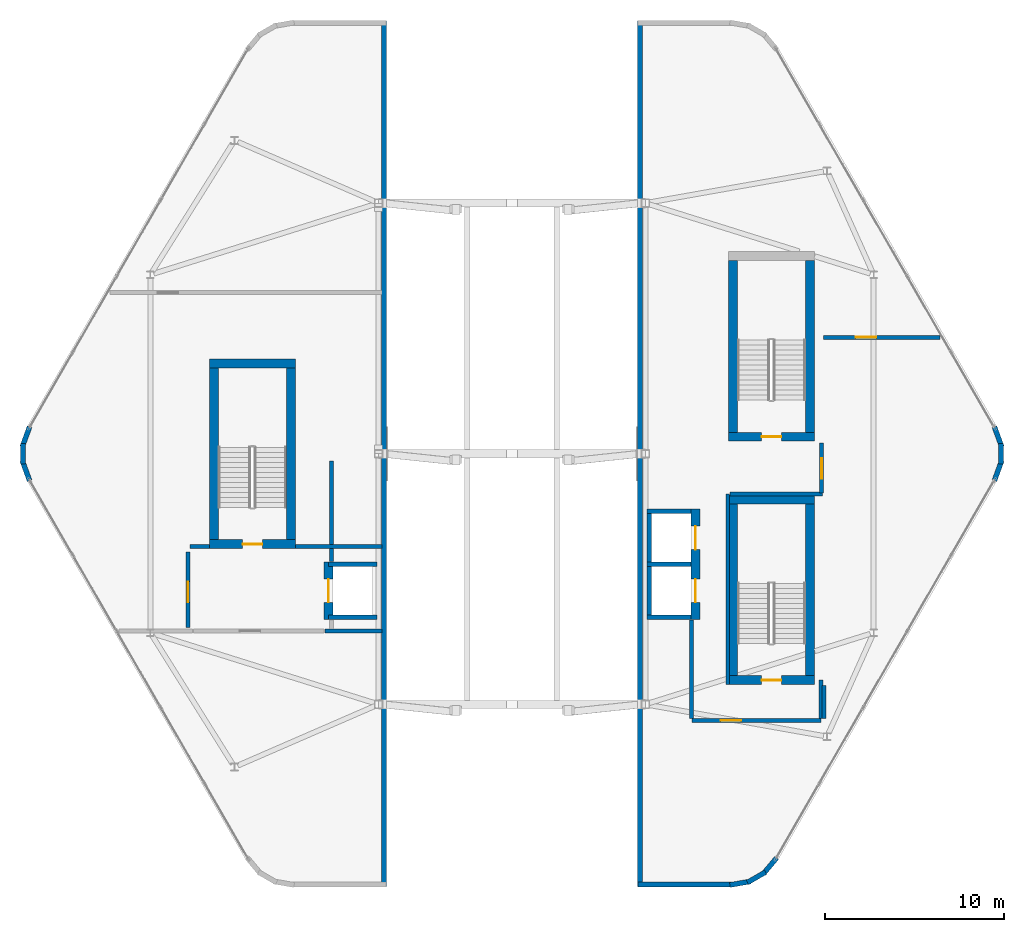
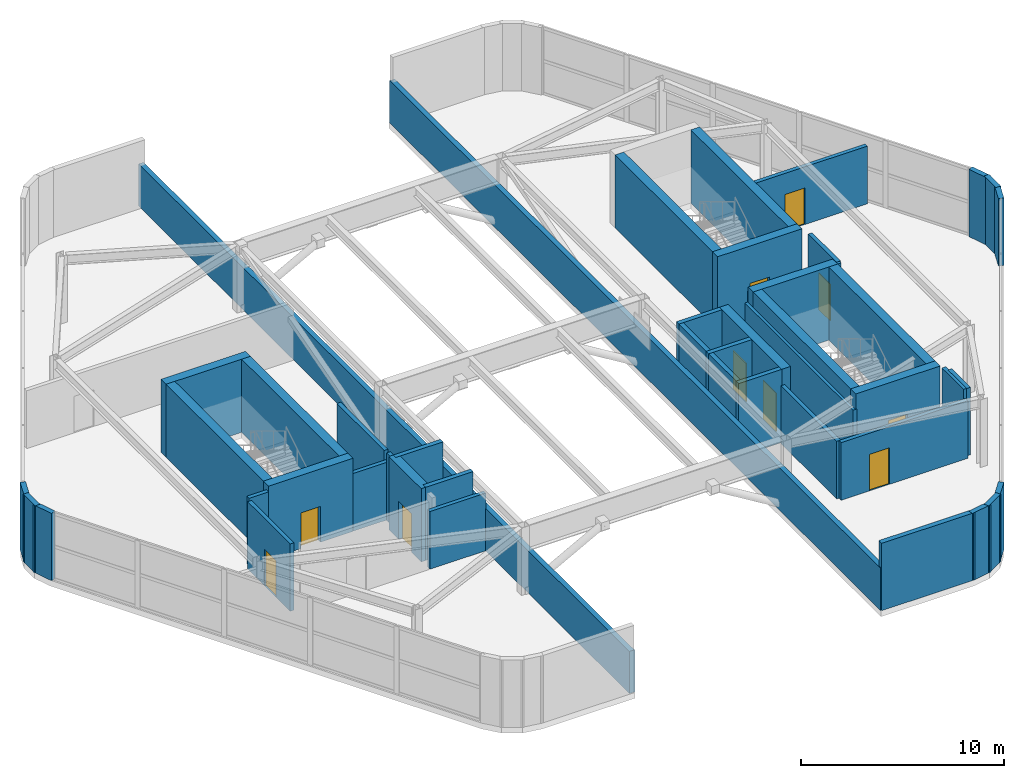
# One storey, part 14 of 16: 46 walls, 10 doors, 10 openings.
"""IFC4 building model written with IfcOpenShell, lengths in metres."""

from ifc_helpers import new_model, si_unit, direction, frame, frame_2d, origin, place, context, subcontext, project, spatial, rectangle, extrude, material, layer, layer_set, type_object, element, fill, save


model = new_model("IFC4")

# Units and contexts
model_context = context("Model", 3, precision=1e-05, world=origin(), true_north=direction((0.0, 1.0)))
body_context = subcontext(model_context, "Body", "Model", "MODEL_VIEW")
ifc_project = project(units=[si_unit("LENGTHUNIT", "METRE"), si_unit("AREAUNIT", "SQUARE_METRE"), si_unit("VOLUMEUNIT", "CUBIC_METRE"), si_unit("PLANEANGLEUNIT", "RADIAN"), si_unit("MASSUNIT", "GRAM", prefix="KILO")], contexts=[model_context])

# Site, building, storey
site_placement = place(None, origin())
site = spatial("IfcSite", under=ifc_project, at=site_placement, CompositionType="ELEMENT")
building_placement = place(site_placement, origin())
building = spatial("IfcBuilding", under=site, at=building_placement, Name="Zuhravey Tower", CompositionType="ELEMENT")
storey_placement = place(building_placement, frame((0.0, 0.0, 374.60009765625)))
storey = spatial("IfcBuildingStorey", under=building, at=storey_placement, Name="L95", CompositionType="ELEMENT", Elevation=374.60009765625)

# Wall, opening, door
ifc_material_1 = material(Name="Concrete C50/60", Category="concrete")
ifc_layer_1 = layer(ifc_material_1, 0.5)
ifc_layer_set_1 = layer_set([ifc_layer_1], Name="Concrete C50/60")
wall_type_1 = type_object("IfcWallType", Name="Core Shear Wall 500", PredefinedType="SHEAR", material=ifc_layer_set_1)
wall_1_placement = place(storey_placement, frame((19.10009765625, 26.949951171875, 0.0), z_axis=(0.0, 0.0, 1.0), x_axis=(1.0, 0.0, 0.0)))
wall_1 = element("IfcWall", 1, at=wall_1_placement, inside=storey, type_object=wall_type_1, Name="L95 CST1 South Shaft Wall", PredefinedType="SHEAR", context=body_context, shape_type="SweptSolid", body=[
    extrude(rectangle(XDim=4.7998046875, YDim=0.5, at=frame_2d((2.39990234375, 0.0))), origin(), (0.0, 0.0, 1.0), 4.39990234375),
])
opening_1_placement = place(wall_1_placement, frame((1.85009765625, 0.0, 0.0)))
opening_1 = element("IfcOpeningElement", 2, at=opening_1_placement, cuts=wall_1, Name="Opening STD1", PredefinedType="OPENING", context=body_context, shape_type="SweptSolid", body=[
    extrude(rectangle(XDim=1.10009765625, YDim=2.14990234375, at=frame_2d((0.550048828125, 1.074951171875))), frame((0.0, 0.261962890625, 0.0), z_axis=(0.0, -1.0, 0.0), x_axis=(1.0, 0.0, 0.0)), (0.0, 0.0, 1.0), 0.52392578125),
])
ifc_material_2 = material(Name="Galvanised fire-rated steel leaf", Category="steel")
door_type_1 = type_object("IfcDoorType", Name="Protected Stair Fire Door 1100x2150", OperationType="NOTDEFINED", PredefinedType="USERDEFINED", material=ifc_material_2)
door_1_placement = place(opening_1_placement, origin())
door_1 = element("IfcDoor", 3, at=door_1_placement, inside=storey, type_object=door_type_1, Name="L95 CST1 Door", ObjectType="EXITDOOR", OperationType="SINGLE_SWING_LEFT", OverallHeight=2.14990234375, OverallWidth=1.10009765625, PredefinedType="USERDEFINED", context=body_context, shape_type="SweptSolid", body=[
    extrude(rectangle(XDim=1.10009765625, YDim=2.14990234375, at=frame_2d((0.550048828125, 1.074951171875))), frame((0.0, 0.02490234375, 0.0), z_axis=(0.0, -1.0, 0.0), x_axis=(1.0, 0.0, 0.0)), (0.0, 0.0, 1.0), 0.050048828125),
])
fill(opening_1, door_1)

# Walls
wall_2_placement = place(storey_placement, frame((23.89990234375, 37.050048828125, 0.0), z_axis=(0.0, 0.0, 1.0), x_axis=(-1.0, 0.0, 0.0)))
element("IfcWall", 4, at=wall_2_placement, inside=storey, type_object=wall_type_1, Name="L95 CST1 North Shaft Wall", PredefinedType="SHEAR", context=body_context, shape_type="SweptSolid", body=[
    extrude(rectangle(XDim=4.7998046875, YDim=0.5, at=frame_2d((2.39990234375, 0.0))), origin(), (0.0, 0.0, 1.0), 4.39990234375),
])
for number, where, z_axis, x_axis, name in (
    (5, (19.35009765625, 27.199951171875, 0.0), (0.0, 0.0, 1.0), (0.0, 1.0, 0.0), "L95 CST1 West Shaft Wall"),
    (6, (23.64990234375, 36.800048828125, 0.0), (0.0, 0.0, 1.0), (0.0, -1.0, 0.0), "L95 CST1 East Shaft Wall"),
):
    element("IfcWall", number, at=place(storey_placement, frame(where, z_axis=z_axis, x_axis=x_axis)), inside=storey, type_object=wall_type_1, Name=name, PredefinedType="SHEAR", context=body_context, shape_type="SweptSolid", body=[
        extrude(rectangle(XDim=9.60009765625, YDim=0.5, at=frame_2d((4.800048828125, 0.0))), origin(), (0.0, 0.0, 1.0), 4.39990234375),
    ])

# Wall, opening, door
wall_3_placement = place(storey_placement, frame((48.10009765625, 19.35009765625, 0.0), z_axis=(0.0, 0.0, 1.0), x_axis=(1.0, 0.0, 0.0)))
wall_3 = element("IfcWall", 7, at=wall_3_placement, inside=storey, type_object=wall_type_1, Name="L95 CST2 South Shaft Wall", PredefinedType="SHEAR", context=body_context, shape_type="SweptSolid", body=[
    extrude(rectangle(XDim=4.7998046875, YDim=0.5, at=frame_2d((2.39990234375, 0.0))), origin(), (0.0, 0.0, 1.0), 4.39990234375),
])
opening_2_placement = place(wall_3_placement, frame((1.85009765625, 0.0, 0.0)))
opening_2 = element("IfcOpeningElement", 8, at=opening_2_placement, cuts=wall_3, Name="Opening STD1", PredefinedType="OPENING", context=body_context, shape_type="SweptSolid", body=[
    extrude(rectangle(XDim=1.10009765625, YDim=2.14990234375, at=frame_2d((0.550048828125, 1.074951171875))), frame((0.0, 0.261962890625, 0.0), z_axis=(0.0, -1.0, 0.0), x_axis=(1.0, 0.0, 0.0)), (0.0, 0.0, 1.0), 0.52392578125),
])
door_2_placement = place(opening_2_placement, origin())
door_2 = element("IfcDoor", 9, at=door_2_placement, inside=storey, type_object=door_type_1, Name="L95 CST2 Door", ObjectType="EXITDOOR", OperationType="SINGLE_SWING_RIGHT", OverallHeight=2.14990234375, OverallWidth=1.10009765625, PredefinedType="USERDEFINED", context=body_context, shape_type="SweptSolid", body=[
    extrude(rectangle(XDim=1.10009765625, YDim=2.14990234375, at=frame_2d((0.550048828125, 1.074951171875))), frame((0.0, 0.02490234375, 0.0), z_axis=(0.0, -1.0, 0.0), x_axis=(1.0, 0.0, 0.0)), (0.0, 0.0, 1.0), 0.050048828125),
])
fill(opening_2, door_2)

# Walls
wall_4_placement = place(storey_placement, frame((52.89990234375, 29.449951171875, 0.0), z_axis=(0.0, 0.0, 1.0), x_axis=(-1.0, 0.0, 0.0)))
element("IfcWall", 10, at=wall_4_placement, inside=storey, type_object=wall_type_1, Name="L95 CST2 North Shaft Wall", PredefinedType="SHEAR", context=body_context, shape_type="SweptSolid", body=[
    extrude(rectangle(XDim=4.7998046875, YDim=0.5, at=frame_2d((2.39990234375, 0.0))), origin(), (0.0, 0.0, 1.0), 4.39990234375),
])
for number, where, z_axis, x_axis, name in (
    (11, (48.35009765625, 19.60009765625, 0.0), (0.0, 0.0, 1.0), (0.0, 1.0, 0.0), "L95 CST2 West Shaft Wall"),
    (12, (52.64990234375, 29.199951171875, 0.0), (0.0, 0.0, 1.0), (0.0, -1.0, 0.0), "L95 CST2 East Shaft Wall"),
):
    element("IfcWall", number, at=place(storey_placement, frame(where, z_axis=z_axis, x_axis=x_axis)), inside=storey, type_object=wall_type_1, Name=name, PredefinedType="SHEAR", context=body_context, shape_type="SweptSolid", body=[
        extrude(rectangle(XDim=9.599853515625, YDim=0.5, at=frame_2d((4.7998046875, 0.0))), origin(), (0.0, 0.0, 1.0), 4.39990234375),
    ])

# Wall, opening, door
wall_5_placement = place(storey_placement, frame((48.10009765625, 32.949951171875, 0.0), z_axis=(0.0, 0.0, 1.0), x_axis=(1.0, 0.0, 0.0)))
wall_5 = element("IfcWall", 13, at=wall_5_placement, inside=storey, type_object=wall_type_1, Name="L95 CST3 South Shaft Wall", PredefinedType="SHEAR", context=body_context, shape_type="SweptSolid", body=[
    extrude(rectangle(XDim=4.7998046875, YDim=0.5, at=frame_2d((2.39990234375, 0.0))), origin(), (0.0, 0.0, 1.0), 4.39990234375),
])
opening_3_placement = place(wall_5_placement, frame((1.85009765625, 0.0, 0.0)))
opening_3 = element("IfcOpeningElement", 14, at=opening_3_placement, cuts=wall_5, Name="Opening STD1", PredefinedType="OPENING", context=body_context, shape_type="SweptSolid", body=[
    extrude(rectangle(XDim=1.10009765625, YDim=2.14990234375, at=frame_2d((0.550048828125, 1.074951171875))), frame((0.0, 0.261962890625, 0.0), z_axis=(0.0, -1.0, 0.0), x_axis=(1.0, 0.0, 0.0)), (0.0, 0.0, 1.0), 0.52392578125),
])
door_3_placement = place(opening_3_placement, origin())
door_3 = element("IfcDoor", 15, at=door_3_placement, inside=storey, type_object=door_type_1, Name="L95 CST3 Door", ObjectType="EXITDOOR", OperationType="SINGLE_SWING_LEFT", OverallHeight=2.14990234375, OverallWidth=1.10009765625, PredefinedType="USERDEFINED", context=body_context, shape_type="SweptSolid", body=[
    extrude(rectangle(XDim=1.10009765625, YDim=2.14990234375, at=frame_2d((0.550048828125, 1.074951171875))), frame((0.0, 0.02490234375, 0.0), z_axis=(0.0, -1.0, 0.0), x_axis=(1.0, 0.0, 0.0)), (0.0, 0.0, 1.0), 0.050048828125),
])
fill(opening_3, door_3)

# Walls
for number, where, z_axis, x_axis, name in (
    (16, (48.35009765625, 33.199951171875, 0.0), (0.0, 0.0, 1.0), (0.0, 1.0, 0.0), "L95 CST3 West Shaft Wall"),
    (17, (52.64990234375, 42.800048828125, 0.0), (0.0, 0.0, 1.0), (0.0, -1.0, 0.0), "L95 CST3 East Shaft Wall"),
):
    element("IfcWall", number, at=place(storey_placement, frame(where, z_axis=z_axis, x_axis=x_axis)), inside=storey, type_object=wall_type_1, Name=name, PredefinedType="SHEAR", context=body_context, shape_type="SweptSolid", body=[
        extrude(rectangle(XDim=9.60009765625, YDim=0.5, at=frame_2d((4.800048828125, 0.0))), origin(), (0.0, 0.0, 1.0), 4.39990234375),
    ])

# Wall, opening, door
wall_6_placement = place(storey_placement, frame((25.75, 22.75, 0.0), z_axis=(0.0, 0.0, 1.0), x_axis=(0.0, 1.0, 0.0)))
wall_6 = element("IfcWall", 18, at=wall_6_placement, inside=storey, type_object=wall_type_1, Name="L95 West Crest FF1 Shear Wall", PredefinedType="SHEAR", context=body_context, shape_type="SweptSolid", body=[
    extrude(rectangle(XDim=3.199951171875, YDim=0.5, at=frame_2d((1.60009765625, 0.0))), origin(), (0.0, 0.0, 1.0), 4.39990234375),
])
opening_4_placement = place(wall_6_placement, frame((0.949951171875, 0.0, 0.0)))
opening_4 = element("IfcOpeningElement", 19, at=opening_4_placement, cuts=wall_6, Name="Opening LD2", PredefinedType="OPENING", context=body_context, shape_type="SweptSolid", body=[
    extrude(rectangle(XDim=1.300048828125, YDim=2.300048828125, at=frame_2d((0.64990234375, 1.14990234375))), frame((0.0, 0.261962890625, 0.0), z_axis=(0.0, -1.0, 0.0), x_axis=(1.0, 0.0, 0.0)), (0.0, 0.0, 1.0), 0.52392578125),
])
ifc_material_3 = material(Name="Brushed stainless steel", Category="steel")
door_type_2 = type_object("IfcDoorType", Name="Freight & Stretcher Lift Sliding Door 1300x2300", OperationType="DOUBLE_DOOR_SLIDING", PredefinedType="DOOR", material=ifc_material_3)
door_4_placement = place(opening_4_placement, origin())
door_4 = element("IfcDoor", 20, at=door_4_placement, inside=storey, type_object=door_type_2, Name="L95 Lift FF1 Crown Landing Door", OperationType="DOUBLE_DOOR_SLIDING", OverallHeight=2.300048828125, OverallWidth=1.300048828125, PredefinedType="DOOR", context=body_context, shape_type="SweptSolid", body=[
    extrude(rectangle(XDim=1.300048828125, YDim=2.300048828125, at=frame_2d((0.64990234375, 1.14990234375))), frame((0.0, 0.02490234375, 0.0), z_axis=(0.0, -1.0, 0.0), x_axis=(1.0, 0.0, 0.0)), (0.0, 0.0, 1.0), 0.050048828125),
])
fill(opening_4, door_4)

# Wall, openings, doors
wall_7_placement = place(storey_placement, frame((46.25, 22.75, 0.0), z_axis=(0.0, 0.0, 1.0), x_axis=(0.0, 1.0, 0.0)))
wall_7 = element("IfcWall", 21, at=wall_7_placement, inside=storey, type_object=wall_type_1, Name="L95 East Crest FF2 Shear Wall", PredefinedType="SHEAR", context=body_context, shape_type="SweptSolid", body=[
    extrude(rectangle(XDim=6.14990234375, YDim=0.5, at=frame_2d((3.074951171875, 0.0))), origin(), (0.0, 0.0, 1.0), 4.39990234375),
])
opening_5_placement = place(wall_7_placement, frame((0.949951171875, 0.0, 0.0)))
opening_5 = element("IfcOpeningElement", 22, at=opening_5_placement, cuts=wall_7, Name="Opening LD2", PredefinedType="OPENING", context=body_context, shape_type="SweptSolid", body=[
    extrude(rectangle(XDim=1.300048828125, YDim=2.300048828125, at=frame_2d((0.64990234375, 1.14990234375))), frame((0.0, 0.261962890625, 0.0), z_axis=(0.0, -1.0, 0.0), x_axis=(1.0, 0.0, 0.0)), (0.0, 0.0, 1.0), 0.52392578125),
])
opening_6_placement = place(wall_7_placement, frame((3.89990234375, 0.0, 0.0)))
opening_6 = element("IfcOpeningElement", 23, at=opening_6_placement, cuts=wall_7, Name="Opening LD2", PredefinedType="OPENING", context=body_context, shape_type="SweptSolid", body=[
    extrude(rectangle(XDim=1.300048828125, YDim=2.300048828125, at=frame_2d((0.64990234375, 1.14990234375))), frame((0.0, 0.261962890625, 0.0), z_axis=(0.0, -1.0, 0.0), x_axis=(1.0, 0.0, 0.0)), (0.0, 0.0, 1.0), 0.52392578125),
])
door_5_placement = place(opening_5_placement, frame((1.300048828125, 0.0, 0.0), z_axis=(0.0, 0.0, 1.0), x_axis=(-1.0, 0.0, 0.0)))
door_5 = element("IfcDoor", 24, at=door_5_placement, inside=storey, type_object=door_type_2, Name="L95 Lift FF2 Crown Landing Door", OperationType="DOUBLE_DOOR_SLIDING", OverallHeight=2.300048828125, OverallWidth=1.300048828125, PredefinedType="DOOR", context=body_context, shape_type="SweptSolid", body=[
    extrude(rectangle(XDim=1.300048828125, YDim=2.300048828125, at=frame_2d((0.64990234375, 1.14990234375))), frame((0.0, 0.02490234375, 0.0), z_axis=(0.0, -1.0, 0.0), x_axis=(1.0, 0.0, 0.0)), (0.0, 0.0, 1.0), 0.050048828125),
])
fill(opening_5, door_5)
door_6_placement = place(opening_6_placement, frame((1.300048828125, 0.0, 0.0), z_axis=(0.0, 0.0, 1.0), x_axis=(-1.0, 0.0, 0.0)))
door_6 = element("IfcDoor", 25, at=door_6_placement, inside=storey, type_object=door_type_2, Name="L95 Lift SV1 Crown Landing Door", OperationType="DOUBLE_DOOR_SLIDING", OverallHeight=2.300048828125, OverallWidth=1.300048828125, PredefinedType="DOOR", context=body_context, shape_type="SweptSolid", body=[
    extrude(rectangle(XDim=1.300048828125, YDim=2.300048828125, at=frame_2d((0.64990234375, 1.14990234375))), frame((0.0, 0.02490234375, 0.0), z_axis=(0.0, -1.0, 0.0), x_axis=(1.0, 0.0, 0.0)), (0.0, 0.0, 1.0), 0.050048828125),
])
fill(opening_6, door_6)

# Walls
ifc_material_4 = material(Name="Precast concrete C40/50", Category="concrete")
ifc_layer_2 = layer(ifc_material_4, 0.280029296875)
ifc_layer_set_2 = layer_set([ifc_layer_2], Name="Precast concrete C40/50")
wall_type_2 = type_object("IfcWallType", Name="Crown Architectural Wall 280", PredefinedType="SOLIDWALL", material=ifc_layer_set_2)
wall_8_placement = place(storey_placement, frame((9.051513671875, 30.4951171875, 0.0), z_axis=(0.0, 0.0, 1.0), x_axis=(-0.342042645118, 0.939684430498, 0.0)))
element("IfcWall", 26, at=wall_8_placement, inside=storey, type_object=wall_type_2, Name="L95 WEST Crest Wall EW28-05", PredefinedType="SOLIDWALL", context=body_context, shape_type="SweptSolid", body=[
    extrude(rectangle(XDim=1.177734375, YDim=0.280029296875, at=frame_2d((0.5888671875, 0.0))), origin(), (0.0, 0.0, 1.0), 4.0498046875),
])
wall_9_placement = place(storey_placement, frame((8.68115234375, 31.41748046875, 0.0), z_axis=(0.0, 0.0, 1.0), x_axis=(0.0, 1.0, 0.0)))
element("IfcWall", 27, at=wall_9_placement, inside=storey, type_object=wall_type_2, Name="L95 WEST Crest Wall EW28-06", PredefinedType="SOLIDWALL", context=body_context, shape_type="SweptSolid", body=[
    extrude(rectangle(XDim=1.1650390625, YDim=0.280029296875, at=frame_2d((0.58251953125, 0.0))), origin(), (0.0, 0.0, 1.0), 4.0498046875),
])
wall_10_placement = place(storey_placement, frame((8.648681640625, 32.398193359375, 0.0), z_axis=(0.0, 0.0, 1.0), x_axis=(0.342042645118, 0.939684430498, 0.0)))
element("IfcWall", 28, at=wall_10_placement, inside=storey, type_object=wall_type_2, Name="L95 WEST Crest Wall EW28-07", PredefinedType="SOLIDWALL", context=body_context, shape_type="SweptSolid", body=[
    extrude(rectangle(XDim=1.177734375, YDim=0.280029296875, at=frame_2d((0.5888671875, 0.0))), origin(), (0.0, 0.0, 1.0), 4.0498046875),
])
wall_11_placement = place(storey_placement, frame((28.860107421875, 56.169189453125, 0.0), z_axis=(0.0, 0.0, 1.0), x_axis=(0.0, -1.0, 0.0)))
element("IfcWall", 29, at=wall_11_placement, inside=storey, type_object=wall_type_2, Name="L95 WEST Crest Wall EW28-13", PredefinedType="SOLIDWALL", context=body_context, shape_type="SweptSolid", body=[
    extrude(rectangle(XDim=48.33837890625, YDim=0.280029296875, at=frame_2d((24.169189453125, 0.0))), origin(), (0.0, 0.0, 1.0), 2.539794921875),
])
wall_12_placement = place(storey_placement, frame((62.948486328125, 33.5048828125, 0.0), z_axis=(0.0, 0.0, 1.0), x_axis=(0.342042645118, -0.939684430498, 0.0)))
element("IfcWall", 30, at=wall_12_placement, inside=storey, type_object=wall_type_2, Name="L95 EAST Crest Wall EW28-05", PredefinedType="SOLIDWALL", context=body_context, shape_type="SweptSolid", body=[
    extrude(rectangle(XDim=1.177734375, YDim=0.280029296875, at=frame_2d((0.5888671875, 0.0))), origin(), (0.0, 0.0, 1.0), 4.0498046875),
])
wall_13_placement = place(storey_placement, frame((63.31884765625, 32.58251953125, 0.0), z_axis=(0.0, 0.0, 1.0), x_axis=(0.0, -1.0, 0.0)))
element("IfcWall", 31, at=wall_13_placement, inside=storey, type_object=wall_type_2, Name="L95 EAST Crest Wall EW28-06", PredefinedType="SOLIDWALL", context=body_context, shape_type="SweptSolid", body=[
    extrude(rectangle(XDim=1.1650390625, YDim=0.280029296875, at=frame_2d((0.58251953125, 0.0))), origin(), (0.0, 0.0, 1.0), 4.0498046875),
])
for number, where, z_axis, x_axis, name in (
    (32, (63.351318359375, 31.601806640625, 0.0), (0.0, 0.0, 1.0), (-0.342042645118, -0.939684430498, 0.0), "L95 EAST Crest Wall EW28-07"),
    (33, (50.777587890625, 9.414306640625, 0.0), (0.0, 0.0, 1.0), (-0.642851701012, -0.765990659542, 0.0), "L95 EAST Crest Wall EW28-09"),
):
    element("IfcWall", number, at=place(storey_placement, frame(where, z_axis=z_axis, x_axis=x_axis)), inside=storey, type_object=wall_type_2, Name=name, PredefinedType="SOLIDWALL", context=body_context, shape_type="SweptSolid", body=[
        extrude(rectangle(XDim=1.177734375, YDim=0.280029296875, at=frame_2d((0.5888671875, 0.0))), origin(), (0.0, 0.0, 1.0), 4.0498046875),
    ])
wall_14_placement = place(storey_placement, frame((50.163818359375, 8.632568359375, 0.0), z_axis=(0.0, 0.0, 1.0), x_axis=(-0.865951785477, -0.500127488975, 0.0)))
element("IfcWall", 34, at=wall_14_placement, inside=storey, type_object=wall_type_2, Name="L95 EAST Crest Wall EW28-10", PredefinedType="SOLIDWALL", context=body_context, shape_type="SweptSolid", body=[
    extrude(rectangle(XDim=1.165283203125, YDim=0.280029296875, at=frame_2d((0.58251953125, 0.0))), origin(), (0.0, 0.0, 1.0), 4.0498046875),
])
wall_15_placement = place(storey_placement, frame((49.330810546875, 8.114013671875, 0.0), z_axis=(0.0, 0.0, 1.0), x_axis=(-0.984798162481, -0.173702559495, 0.0)))
element("IfcWall", 35, at=wall_15_placement, inside=storey, type_object=wall_type_2, Name="L95 EAST Crest Wall EW28-11", PredefinedType="SOLIDWALL", context=body_context, shape_type="SweptSolid", body=[
    extrude(rectangle(XDim=1.177734375, YDim=0.280029296875, at=frame_2d((0.5888671875, 0.0))), origin(), (0.0, 0.0, 1.0), 4.0498046875),
])
wall_16_placement = place(storey_placement, frame((48.359619140625, 7.92578125, 0.0), z_axis=(0.0, 0.0, 1.0), x_axis=(-1.0, 0.0, 0.0)))
element("IfcWall", 36, at=wall_16_placement, inside=storey, type_object=wall_type_2, Name="L95 EAST Crest Wall EW28-12", PredefinedType="SOLIDWALL", context=body_context, shape_type="SweptSolid", body=[
    extrude(rectangle(XDim=5.314697265625, YDim=0.280029296875, at=frame_2d((2.6572265625, 0.0))), origin(), (0.0, 0.0, 1.0), 4.0498046875),
])
wall_17_placement = place(storey_placement, frame((43.139892578125, 7.830810546875, 0.0), z_axis=(0.0, 0.0, 1.0), x_axis=(0.0, 1.0, 0.0)))
element("IfcWall", 37, at=wall_17_placement, inside=storey, type_object=wall_type_2, Name="L95 EAST Crest Wall EW28-13", PredefinedType="SOLIDWALL", context=body_context, shape_type="SweptSolid", body=[
    extrude(rectangle(XDim=48.33837890625, YDim=0.280029296875, at=frame_2d((24.169189453125, 0.0))), origin(), (0.0, 0.0, 1.0), 2.539794921875),
])
ifc_layer_3 = layer(ifc_material_1, 0.25)
ifc_layer_set_3 = layer_set([ifc_layer_3], Name="Concrete C50/60")
wall_type_3 = type_object("IfcWallType", Name="Firefighting Shaft & Stair Wall 250", PredefinedType="SOLIDWALL", material=ifc_layer_set_3)
for number, where, z_axis, x_axis, name in (
    (38, (25.75, 25.824951171875, 0.0), (0.0, 0.0, 1.0), (1.0, 0.0, 0.0), "L95 FW25 Shaft Wall 001"),
    (39, (25.75, 22.875, 0.0), (0.0, 0.0, 1.0), (1.0, 0.0, 0.0), "L95 FW25 Shaft Wall 002"),
):
    element("IfcWall", number, at=place(storey_placement, frame(where, z_axis=z_axis, x_axis=x_axis)), inside=storey, type_object=wall_type_3, Name=name, PredefinedType="SOLIDWALL", context=body_context, shape_type="SweptSolid", body=[
        extrude(rectangle(XDim=2.699951171875, YDim=0.25, at=frame_2d((1.35009765625, 0.0))), origin(), (0.0, 0.0, 1.0), 4.39990234375),
    ])
for number, where, z_axis, x_axis, name in (
    (40, (43.550048828125, 22.875, 0.0), (0.0, 0.0, 1.0), (1.0, 0.0, 0.0), "L95 FW25 Shaft Wall 003"),
    (41, (43.550048828125, 25.824951171875, 0.0), (0.0, 0.0, 1.0), (1.0, 0.0, 0.0), "L95 FW25 Shaft Wall 004"),
):
    element("IfcWall", number, at=place(storey_placement, frame(where, z_axis=z_axis, x_axis=x_axis)), inside=storey, type_object=wall_type_3, Name=name, PredefinedType="SOLIDWALL", context=body_context, shape_type="SweptSolid", body=[
        extrude(rectangle(XDim=2.449951171875, YDim=0.25, at=frame_2d((1.22509765625, 0.0))), origin(), (0.0, 0.0, 1.0), 4.39990234375),
    ])
wall_18_placement = place(storey_placement, frame((43.675048828125, 23.0, 0.0), z_axis=(0.0, 0.0, 1.0), x_axis=(0.0, 1.0, 0.0)))
element("IfcWall", 42, at=wall_18_placement, inside=storey, type_object=wall_type_3, Name="L95 FW25 Shaft Wall 005", PredefinedType="SOLIDWALL", context=body_context, shape_type="SweptSolid", body=[
    extrude(rectangle(XDim=2.699951171875, YDim=0.25, at=frame_2d((1.35009765625, 0.0))), origin(), (0.0, 0.0, 1.0), 4.39990234375),
])
wall_19_placement = place(storey_placement, frame((43.550048828125, 28.77490234375, 0.0), z_axis=(0.0, 0.0, 1.0), x_axis=(1.0, 0.0, 0.0)))
element("IfcWall", 43, at=wall_19_placement, inside=storey, type_object=wall_type_3, Name="L95 FW25 Shaft Wall 006", PredefinedType="SOLIDWALL", context=body_context, shape_type="SweptSolid", body=[
    extrude(rectangle(XDim=2.449951171875, YDim=0.25, at=frame_2d((1.22509765625, 0.0))), origin(), (0.0, 0.0, 1.0), 4.39990234375),
])
wall_20_placement = place(storey_placement, frame((43.675048828125, 25.949951171875, 0.0), z_axis=(0.0, 0.0, 1.0), x_axis=(0.0, 1.0, 0.0)))
element("IfcWall", 44, at=wall_20_placement, inside=storey, type_object=wall_type_3, Name="L95 FW25 Shaft Wall 007", PredefinedType="SOLIDWALL", context=body_context, shape_type="SweptSolid", body=[
    extrude(rectangle(XDim=2.699951171875, YDim=0.25, at=frame_2d((1.35009765625, 0.0))), origin(), (0.0, 0.0, 1.0), 4.39990234375),
])

# Wall, opening, door
ifc_material_5 = material(Name="Gypsum acoustic stud assembly")
ifc_layer_4 = layer(ifc_material_5, 0.219970703125)
ifc_layer_set_4 = layer_set([ifc_layer_4], Name="Gypsum acoustic stud assembly")
wall_type_4 = type_object("IfcWallType", Name="School Acoustic Compartment Wall 220", PredefinedType="PARTITIONING", material=ifc_layer_set_4)
wall_21_placement = place(storey_placement, frame((17.89990234375, 22.300048828125, 0.0), z_axis=(0.0, 0.0, 1.0), x_axis=(0.0, 1.0, 0.0)))
wall_21 = element("IfcWall", 45, at=wall_21_placement, inside=storey, type_object=wall_type_4, Name="L95 IW22 Partition 010", PredefinedType="PARTITIONING", context=body_context, shape_type="SweptSolid", body=[
    extrude(rectangle(XDim=4.199951171875, YDim=0.219970703125, at=frame_2d((2.10009765625, 0.0))), origin(), (0.0, 0.0, 1.0), 4.0498046875),
])
opening_7_placement = place(wall_21_placement, frame((1.39990234375, 0.0, 0.0)))
opening_7 = element("IfcOpeningElement", 46, at=opening_7_placement, cuts=wall_21, Name="Opening CLD1", PredefinedType="OPENING", context=body_context, shape_type="SweptSolid", body=[
    extrude(rectangle(XDim=1.14990234375, YDim=2.199951171875, at=frame_2d((0.574951171875, 1.10009765625))), frame((0.0, 0.1220703125, 0.0), z_axis=(0.0, -1.0, 0.0), x_axis=(1.0, 0.0, 0.0)), (0.0, 0.0, 1.0), 0.243896484375),
])
ifc_material_6 = material(Name="Acoustic timber leaf with vision lite", Category="wood")
door_type_3 = type_object("IfcDoorType", Name="Classroom Acoustic Door 1150x2200", OperationType="NOTDEFINED", PredefinedType="DOOR", material=ifc_material_6)
door_7_placement = place(opening_7_placement, origin())
door_7 = element("IfcDoor", 47, at=door_7_placement, inside=storey, type_object=door_type_3, Name="L95 West Crown Switchgear Plant Door", OperationType="SINGLE_SWING_RIGHT", OverallHeight=2.199951171875, OverallWidth=1.14990234375, PredefinedType="DOOR", context=body_context, shape_type="SweptSolid", body=[
    extrude(rectangle(XDim=1.14990234375, YDim=2.199951171875, at=frame_2d((0.574951171875, 1.10009765625))), frame((0.0, 0.02490234375, 0.0), z_axis=(0.0, -1.0, 0.0), x_axis=(1.0, 0.0, 0.0)), (0.0, 0.0, 1.0), 0.050048828125),
])
fill(opening_7, door_7)

wall_22_placement = place(storey_placement, frame((53.39990234375, 38.5, 0.0), z_axis=(0.0, 0.0, 1.0), x_axis=(1.0, 0.0, 0.0)))
wall_22 = element("IfcWall", 48, at=wall_22_placement, inside=storey, type_object=wall_type_4, Name="L95 IW22 Partition 011", PredefinedType="PARTITIONING", context=body_context, shape_type="SweptSolid", body=[
    extrude(rectangle(XDim=6.507080078125, YDim=0.219970703125, at=frame_2d((3.25341796875, 0.0))), origin(), (0.0, 0.0, 1.0), 3.469970703125),
])
opening_8_placement = place(wall_22_placement, frame((1.800048828125, 0.0, 0.0)))
opening_8 = element("IfcOpeningElement", 49, at=opening_8_placement, cuts=wall_22, Name="Opening CLD1", PredefinedType="OPENING", context=body_context, shape_type="SweptSolid", body=[
    extrude(rectangle(XDim=1.14990234375, YDim=2.199951171875, at=frame_2d((0.574951171875, 1.10009765625))), frame((0.0, 0.1220703125, 0.0), z_axis=(0.0, -1.0, 0.0), x_axis=(1.0, 0.0, 0.0)), (0.0, 0.0, 1.0), 0.243896484375),
])
door_8_placement = place(opening_8_placement, origin())
door_8 = element("IfcDoor", 50, at=door_8_placement, inside=storey, type_object=door_type_3, Name="L95 Aviation Beacon Plant Door", OperationType="SINGLE_SWING_LEFT", OverallHeight=2.199951171875, OverallWidth=1.14990234375, PredefinedType="DOOR", context=body_context, shape_type="SweptSolid", body=[
    extrude(rectangle(XDim=1.14990234375, YDim=2.199951171875, at=frame_2d((0.574951171875, 1.10009765625))), frame((0.0, 0.02490234375, 0.0), z_axis=(0.0, -1.0, 0.0), x_axis=(1.0, 0.0, 0.0)), (0.0, 0.0, 1.0), 0.050048828125),
])
fill(opening_8, door_8)

wall_23_placement = place(storey_placement, frame((46.050048828125, 17.10009765625, 0.0), z_axis=(0.0, 0.0, 1.0), x_axis=(1.0, 0.0, 0.0)))
wall_23 = element("IfcWall", 51, at=wall_23_placement, inside=storey, type_object=wall_type_4, Name="L95 IW22 Partition 012", PredefinedType="PARTITIONING", context=body_context, shape_type="SweptSolid", body=[
    extrude(rectangle(XDim=7.199951171875, YDim=0.219970703125, at=frame_2d((3.60009765625, 0.0))), origin(), (0.0, 0.0, 1.0), 3.469970703125),
])
opening_9_placement = place(wall_23_placement, frame((1.60009765625, 0.0, 0.0)))
opening_9 = element("IfcOpeningElement", 52, at=opening_9_placement, cuts=wall_23, Name="Opening CLD1", PredefinedType="OPENING", context=body_context, shape_type="SweptSolid", body=[
    extrude(rectangle(XDim=1.14990234375, YDim=2.199951171875, at=frame_2d((0.574951171875, 1.10009765625))), frame((0.0, 0.1220703125, 0.0), z_axis=(0.0, -1.0, 0.0), x_axis=(1.0, 0.0, 0.0)), (0.0, 0.0, 1.0), 0.243896484375),
])
door_9_placement = place(opening_9_placement, frame((1.14990234375, 0.0, 0.0), z_axis=(0.0, 0.0, 1.0), x_axis=(-1.0, 0.0, 0.0)))
door_9 = element("IfcDoor", 53, at=door_9_placement, inside=storey, type_object=door_type_3, Name="L95 Emergency Standby Generator Plant Door", OperationType="SINGLE_SWING_RIGHT", OverallHeight=2.199951171875, OverallWidth=1.14990234375, PredefinedType="DOOR", context=body_context, shape_type="SweptSolid", body=[
    extrude(rectangle(XDim=1.14990234375, YDim=2.199951171875, at=frame_2d((0.574951171875, 1.10009765625))), frame((0.0, 0.02490234375, 0.0), z_axis=(0.0, -1.0, 0.0), x_axis=(1.0, 0.0, 0.0)), (0.0, 0.0, 1.0), 0.050048828125),
])
fill(opening_9, door_9)

wall_24_placement = place(storey_placement, frame((53.300048828125, 29.800048828125, 0.0), z_axis=(0.0, 0.0, 1.0), x_axis=(0.0, 1.0, 0.0)))
wall_24 = element("IfcWall", 54, at=wall_24_placement, inside=storey, type_object=wall_type_4, Name="L95 IW22 Partition 013", PredefinedType="PARTITIONING", context=body_context, shape_type="SweptSolid", body=[
    extrude(rectangle(XDim=2.800048828125, YDim=0.219970703125, at=frame_2d((1.39990234375, 0.0))), origin(), (0.0, 0.0, 1.0), 4.0498046875),
])
opening_10_placement = place(wall_24_placement, frame((0.800048828125, 0.0, 0.0)))
opening_10 = element("IfcOpeningElement", 55, at=opening_10_placement, cuts=wall_24, Name="Opening CLD1", PredefinedType="OPENING", context=body_context, shape_type="SweptSolid", body=[
    extrude(rectangle(XDim=1.14990234375, YDim=2.199951171875, at=frame_2d((0.574951171875, 1.10009765625))), frame((0.0, 0.1220703125, 0.0), z_axis=(0.0, -1.0, 0.0), x_axis=(1.0, 0.0, 0.0)), (0.0, 0.0, 1.0), 0.243896484375),
])
door_10_placement = place(opening_10_placement, frame((1.14990234375, 0.0, 0.0), z_axis=(0.0, 0.0, 1.0), x_axis=(-1.0, 0.0, 0.0)))
door_10 = element("IfcDoor", 56, at=door_10_placement, inside=storey, type_object=door_type_3, Name="L95 Crown UPS Battery Plant Door", OperationType="SINGLE_SWING_LEFT", OverallHeight=2.199951171875, OverallWidth=1.14990234375, PredefinedType="DOOR", context=body_context, shape_type="SweptSolid", body=[
    extrude(rectangle(XDim=1.14990234375, YDim=2.199951171875, at=frame_2d((0.574951171875, 1.10009765625))), frame((0.0, 0.02490234375, 0.0), z_axis=(0.0, -1.0, 0.0), x_axis=(1.0, 0.0, 0.0)), (0.0, 0.0, 1.0), 0.050048828125),
])
fill(opening_10, door_10)

# Walls
wall_25_placement = place(storey_placement, frame((25.550048828125, 22.10009765625, 0.0), z_axis=(0.0, 0.0, 1.0), x_axis=(1.0, 0.0, 0.0)))
element("IfcWall", 57, at=wall_25_placement, inside=storey, type_object=wall_type_4, Name="L95 IW22 Partition 015", PredefinedType="PARTITIONING", context=body_context, shape_type="SweptSolid", body=[
    extrude(rectangle(XDim=3.18994140625, YDim=0.219970703125, at=frame_2d((1.594970703125, 0.0))), origin(), (0.0, 0.0, 1.0), 3.469970703125),
])
wall_26_placement = place(storey_placement, frame((28.739990234375, 26.820068359375, 0.0), z_axis=(0.0, 0.0, 1.0), x_axis=(-1.0, 0.0, 0.0)))
element("IfcWall", 58, at=wall_26_placement, inside=storey, type_object=wall_type_4, Name="L95 IW22 Partition 016", PredefinedType="PARTITIONING", context=body_context, shape_type="SweptSolid", body=[
    extrude(rectangle(XDim=4.840087890625, YDim=0.219970703125, at=frame_2d((2.419921875, 0.0))), origin(), (0.0, 0.0, 1.0), 3.469970703125),
])
wall_27_placement = place(storey_placement, frame((19.10009765625, 26.820068359375, 0.0), z_axis=(0.0, 0.0, 1.0), x_axis=(-1.0, 0.0, 0.0)))
element("IfcWall", 59, at=wall_27_placement, inside=storey, type_object=wall_type_4, Name="L95 IW22 Partition 017", PredefinedType="PARTITIONING", context=body_context, shape_type="SweptSolid", body=[
    extrude(rectangle(XDim=1.10009765625, YDim=0.219970703125, at=frame_2d((0.550048828125, 0.0))), origin(), (0.0, 0.0, 1.0), 4.0498046875),
])
wall_28_placement = place(storey_placement, frame((25.919921875, 25.989013671875, 0.0), z_axis=(0.0, 0.0, 1.0), x_axis=(0.0, 1.0, 0.0)))
element("IfcWall", 60, at=wall_28_placement, inside=storey, type_object=wall_type_4, Name="L95 IW22 Partition 018", PredefinedType="PARTITIONING", context=body_context, shape_type="SweptSolid", body=[
    extrude(rectangle(XDim=0.712890625, YDim=0.219970703125, at=frame_2d((0.3564453125, 0.0))), origin(), (0.0, 0.0, 1.0), 4.0498046875),
])
wall_29_placement = place(storey_placement, frame((25.919921875, 26.93798828125, 0.0), z_axis=(0.0, 0.0, 1.0), x_axis=(0.0, 1.0, 0.0)))
element("IfcWall", 61, at=wall_29_placement, inside=storey, type_object=wall_type_4, Name="L95 IW22 Partition 019", PredefinedType="PARTITIONING", context=body_context, shape_type="SweptSolid", body=[
    extrude(rectangle(XDim=4.662109375, YDim=0.219970703125, at=frame_2d((2.3310546875, 0.0))), origin(), (0.0, 0.0, 1.0), 4.0498046875),
])
wall_30_placement = place(storey_placement, frame((53.25, 17.218017578125, 0.0), z_axis=(0.0, 0.0, 1.0), x_axis=(0.0, 1.0, 0.0)))
element("IfcWall", 62, at=wall_30_placement, inside=storey, type_object=wall_type_4, Name="L95 IW22 Partition 021", PredefinedType="PARTITIONING", context=body_context, shape_type="SweptSolid", body=[
    extrude(rectangle(XDim=2.132080078125, YDim=0.219970703125, at=frame_2d((1.06591796875, 0.0))), origin(), (0.0, 0.0, 1.0), 4.0498046875),
])
wall_31_placement = place(storey_placement, frame((48.050048828125, 19.10009765625, 0.0), z_axis=(0.0, 0.0, 1.0), x_axis=(0.0, 1.0, 0.0)))
element("IfcWall", 63, at=wall_31_placement, inside=storey, type_object=wall_type_4, Name="L95 IW22 Partition 022", PredefinedType="PARTITIONING", context=body_context, shape_type="SweptSolid", body=[
    extrude(rectangle(XDim=10.64990234375, YDim=0.219970703125, at=frame_2d((5.324951171875, 0.0))), origin(), (0.0, 0.0, 1.0), 3.469970703125),
])
wall_32_placement = place(storey_placement, frame((48.16796875, 29.75, 0.0), z_axis=(0.0, 0.0, 1.0), x_axis=(1.0, 0.0, 0.0)))
element("IfcWall", 64, at=wall_32_placement, inside=storey, type_object=wall_type_4, Name="L95 IW22 Partition 023", PredefinedType="PARTITIONING", context=body_context, shape_type="SweptSolid", body=[
    extrude(rectangle(XDim=5.18212890625, YDim=0.219970703125, at=frame_2d((2.591064453125, 0.0))), origin(), (0.0, 0.0, 1.0), 4.0498046875),
])
wall_33_placement = place(storey_placement, frame((46.030029296875, 22.701416015625, 0.0), z_axis=(0.0, 0.0, 1.0), x_axis=(0.0, -1.0, 0.0)))
element("IfcWall", 65, at=wall_33_placement, inside=storey, type_object=wall_type_4, Name="L95 IW22 Partition 024", PredefinedType="PARTITIONING", context=body_context, shape_type="SweptSolid", body=[
    extrude(rectangle(XDim=5.50146484375, YDim=0.219970703125, at=frame_2d((2.750732421875, 0.0))), origin(), (0.0, 0.0, 1.0), 3.469970703125),
])
wall_34_placement = place(storey_placement, frame((53.419921875, 17.199951171875, 0.0), z_axis=(0.0, 0.0, 1.0), x_axis=(0.0, 1.0, 0.0)))
element("IfcWall", 66, at=wall_34_placement, inside=storey, type_object=wall_type_4, Name="L95 IW22 Partition 025", PredefinedType="PARTITIONING", context=body_context, shape_type="SweptSolid", body=[
    extrude(rectangle(XDim=1.85009765625, YDim=0.219970703125, at=frame_2d((0.925048828125, 0.0))), origin(), (0.0, 0.0, 1.0), 4.0498046875),
])

save(model, "model.ifc")
